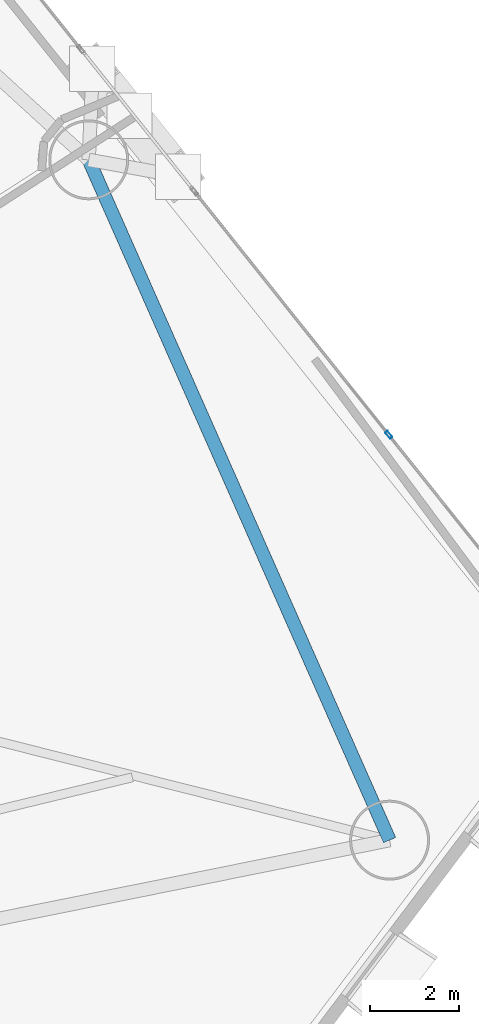
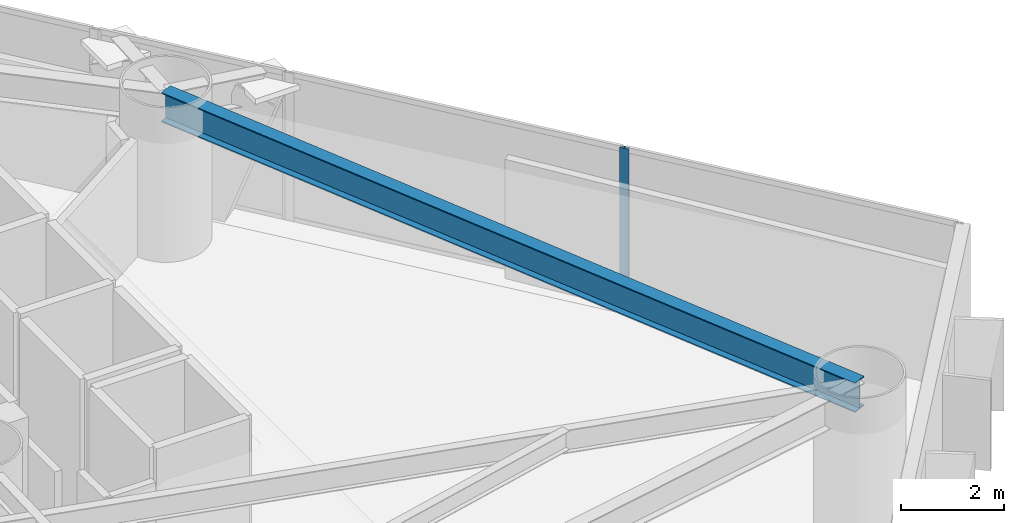
# One storey, part 13 of 23: 1 beam, 1 member, 1 element without a shape of its own.
"""IFC4 building model written with IfcOpenShell, lengths in metres."""

from ifc_helpers import new_model, si_unit, direction, frame, origin, origin_2d, place, context, subcontext, project, spatial, hollow_rectangle, i_section, extrude, material, layer, layer_set, material_profile, profile_set, type_object, element, aggregate, save


model = new_model("IFC4")

# Units and contexts
model_context = context("Model", 3, precision=1e-05, world=origin(), true_north=direction((0.0, 1.0)))
body_context = subcontext(model_context, "Body", "Model", "MODEL_VIEW")
ifc_project = project(units=[si_unit("LENGTHUNIT", "METRE"), si_unit("AREAUNIT", "SQUARE_METRE"), si_unit("VOLUMEUNIT", "CUBIC_METRE"), si_unit("PLANEANGLEUNIT", "RADIAN"), si_unit("MASSUNIT", "GRAM", prefix="KILO")], contexts=[model_context])

# Site, building, storey
site_placement = place(None, origin())
site = spatial("IfcSite", under=ifc_project, at=site_placement, CompositionType="ELEMENT")
building_placement = place(site_placement, origin())
building = spatial("IfcBuilding", under=site, at=building_placement, Name="Qianvela Tower", CompositionType="ELEMENT")
storey_placement = place(building_placement, frame((0.0, 0.0, 33.10009765625)))
storey = spatial("IfcBuildingStorey", under=building, at=storey_placement, Name="L07", CompositionType="ELEMENT", Elevation=33.10009765625)

# Beam
ifc_material_1 = material(Name="Steel Q355B", Category="steel")
ifc_material_profile_1 = material_profile(ifc_material_1, i_section(OverallWidth=0.300048828125, OverallDepth=0.699951171875, WebThickness=0.012939453125, FlangeThickness=0.02392578125, at=origin_2d()), Name="HN700x300x13x24")
ifc_profile_set_1 = profile_set([ifc_material_profile_1], Name="Steel Q355B")
beam_type = type_object("IfcBeamType", Name="BM-HN700-SPAND", PredefinedType="SPANDREL", material=ifc_profile_set_1)
beam_placement = place(storey_placement, frame((54.511962890625, 17.31689453125, 3.16796875), z_axis=(-0.404490777912, 0.914542076989, 0.0), x_axis=(-0.914542076989, -0.404490777912, 0.0)))
element("IfcBeam", 1, at=beam_placement, inside=storey, type_object=beam_type, Name="L07 Perimeter Ring Spandrel Girder 1", PredefinedType="SPANDREL", context=body_context, shape_type="SweptSolid", body=[
    extrude(i_section(OverallWidth=0.300048828125, OverallDepth=0.699951171875, WebThickness=0.012939453125, FlangeThickness=0.02392578125, at=origin_2d()), origin(), (0.0, 0.0, 1.0), 16.751708984375),
])

# Curtain wall, member
ifc_material_2 = material(Name="Anodised Architectural Aluminium and Low-E Glass", Category="aluminium")
ifc_layer = layer(ifc_material_2, 0.179931640625)
ifc_layer_set = layer_set([ifc_layer], Name="Anodised Architectural Aluminium and Low-E Glass")
curtain_wall_type = type_object("IfcCurtainWallType", Name="CW-COLIV-Z12", PredefinedType="USERDEFINED", material=ifc_layer_set)
curtain_wall_placement = place(storey_placement, origin())
curtain_wall = element("IfcCurtainWall", 2, at=curtain_wall_placement, inside=storey, type_object=curtain_wall_type, Name="L07 CW-COLIV-Z12 Curtain Wall 02A", ObjectType="CURTAIN_WALL_SYSTEM", PredefinedType="USERDEFINED")
ifc_material_3 = material(Name="Anodised Architectural Aluminium 6063-T6", Category="aluminium")
ifc_material_profile_2 = material_profile(ifc_material_3, hollow_rectangle(XDim=0.070068359375, YDim=0.179931640625, WallThickness=0.0048828125, at=origin_2d()), Name="ALU-MULL-70x180")
ifc_profile_set_2 = profile_set([ifc_material_profile_2], Name="Anodised Architectural Aluminium 6063-T6")
member_type = type_object("IfcMemberType", Name="CW-COLIV-Z12-MULL", PredefinedType="MULLION", material=ifc_profile_set_2)
member_placement = place(storey_placement, frame((54.493408203125, 26.44677734375, 0.0), z_axis=(0.0, 0.0, 1.0), x_axis=(-0.781442205502, -0.623977627371, 0.0)))
member = element("IfcMember", 3, at=member_placement, type_object=member_type, Name="CW-3 mullion 2", PredefinedType="MULLION", context=body_context, shape_type="SweptSolid", body=[
    extrude(hollow_rectangle(XDim=0.070068359375, YDim=0.179931640625, WallThickness=0.0048828125, at=origin_2d()), origin(), (0.0, 0.0, 1.0), 3.52001953125),
])
aggregate(curtain_wall, [member])

save(model, "model.ifc")
